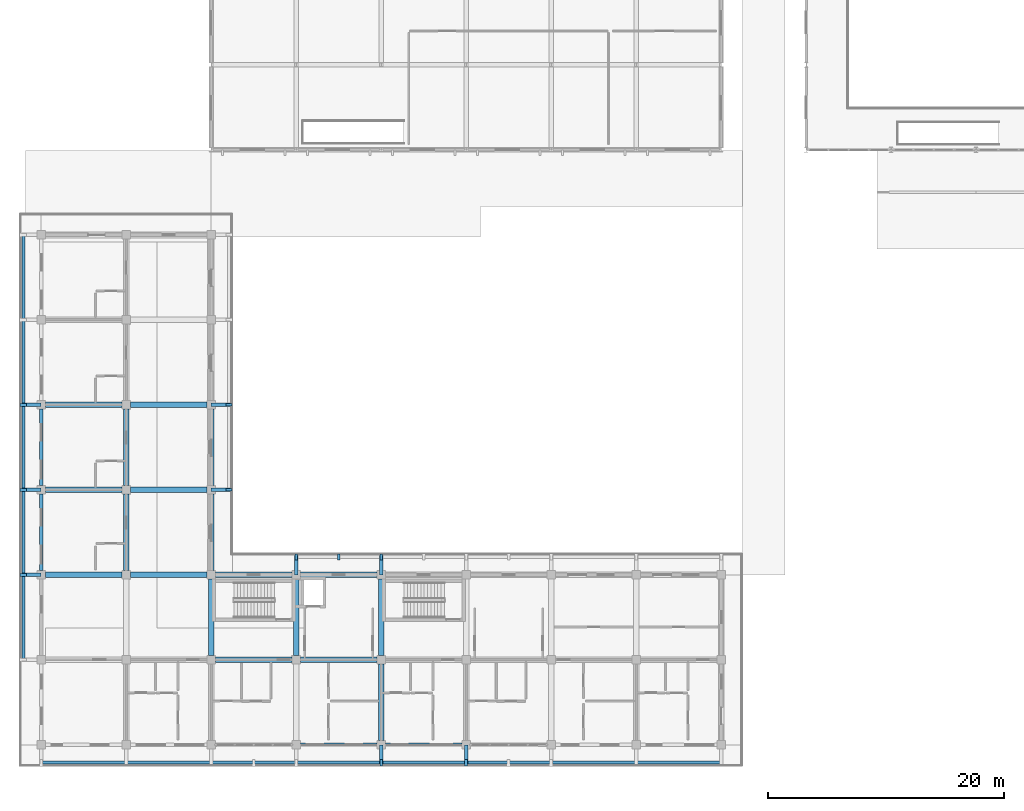
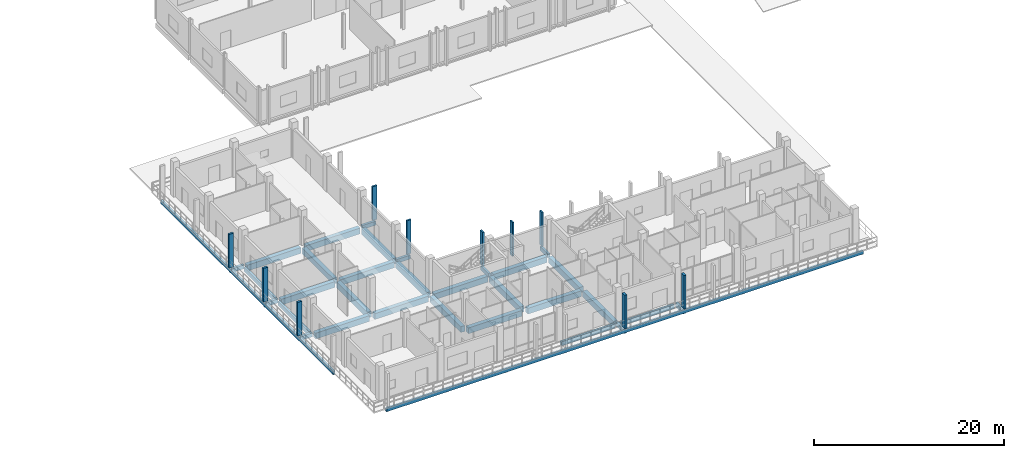
# One storey, part 16 of 110: 33 beams, 10 members.
"""IFC4 building model written with IfcOpenShell, lengths in metres."""

from ifc_helpers import new_model, si_unit, direction, frame, origin, origin_2d, place, context, subcontext, project, spatial, rectangle, extrude, material, material_profile, profile_set, type_object, element, save


model = new_model("IFC4")

# Units and contexts
model_context = context("Model", 3, precision=1e-05, world=origin(), true_north=direction((0.0, 1.0)))
body_context = subcontext(model_context, "Body", "Model", "MODEL_VIEW")
ifc_project = project(units=[si_unit("LENGTHUNIT", "METRE"), si_unit("AREAUNIT", "SQUARE_METRE"), si_unit("VOLUMEUNIT", "CUBIC_METRE"), si_unit("PLANEANGLEUNIT", "RADIAN"), si_unit("MASSUNIT", "GRAM", prefix="KILO")], contexts=[model_context])

# Site, building, storey
site_placement = place(None, origin())
site = spatial("IfcSite", under=ifc_project, at=site_placement, CompositionType="ELEMENT")
building_placement = place(site_placement, origin())
building = spatial("IfcBuilding", under=site, at=building_placement, Name="Suanplinth Sawtooth Commons", CompositionType="ELEMENT")
storey_placement = place(building_placement, frame((0.0, 0.0, 4.5)))
storey = spatial("IfcBuildingStorey", under=building, at=storey_placement, Name="L01", CompositionType="ELEMENT", Elevation=4.5)

# Beams
ifc_material_1 = material(Name="Concrete C40/50", Category="concrete")
ifc_material_profile_1 = material_profile(ifc_material_1, rectangle(XDim=0.5, YDim=0.75, at=origin_2d()), Name="RC-GDR 500x750")
ifc_profile_set_1 = profile_set([ifc_material_profile_1], Name="Concrete C40/50")
beam_type_1 = type_object("IfcBeamType", Name="B-03", PredefinedType="USERDEFINED", material=ifc_profile_set_1)
for number, where, z_axis, x_axis, name in (
    (1, (0.35009765625, 14.39990234375, -0.675048828125), (1.0, 0.0, 0.0), (0.0, 1.0, 0.0), "BMX-L01-D-0-2"),
    (2, (0.35009765625, 21.60009765625, -0.675048828125), (1.0, 0.0, 0.0), (0.0, 1.0, 0.0), "BMX-L01-D-0-3"),
    (3, (0.35009765625, 28.800048828125, -0.675048828125), (1.0, 0.0, 0.0), (0.0, 1.0, 0.0), "BMX-L01-D-0-4"),
    (4, (7.550048828125, 14.39990234375, -0.675048828125), (1.0, 0.0, 0.0), (0.0, 1.0, 0.0), "BMX-L01-D-1-2"),
    (5, (7.550048828125, 21.60009765625, -0.675048828125), (1.0, 0.0, 0.0), (0.0, 1.0, 0.0), "BMX-L01-D-1-3"),
    (6, (7.550048828125, 28.800048828125, -0.675048828125), (1.0, 0.0, 0.0), (0.0, 1.0, 0.0), "BMX-L01-D-1-4"),
    (7, (14.75, 7.199951171875, -0.675048828125), (1.0, 0.0, 0.0), (0.0, 1.0, 0.0), "BMX-L01-D-2-1"),
    (8, (14.75, 14.39990234375, -0.675048828125), (1.0, 0.0, 0.0), (0.0, 1.0, 0.0), "BMX-L01-D-2-2"),
    (9, (21.949951171875, 7.199951171875, -0.675048828125), (1.0, 0.0, 0.0), (0.0, 1.0, 0.0), "BMX-L01-D-3-1"),
    (10, (21.949951171875, 14.39990234375, -0.675048828125), (1.0, 0.0, 0.0), (0.0, 1.0, 0.0), "BMX-L01-D-3-2"),
    (11, (7.199951171875, 14.75, -0.675048828125), (0.0, 1.0, 0.0), (-1.0, 0.0, 0.0), "BMY-L01-D-1-2"),
    (12, (7.199951171875, 21.949951171875, -0.675048828125), (0.0, 1.0, 0.0), (-1.0, 0.0, 0.0), "BMY-L01-D-1-3"),
    (13, (14.39990234375, 7.550048828125, -0.675048828125), (0.0, 1.0, 0.0), (-1.0, 0.0, 0.0), "BMY-L01-D-2-1"),
    (14, (14.39990234375, 14.75, -0.675048828125), (0.0, 1.0, 0.0), (-1.0, 0.0, 0.0), "BMY-L01-D-2-2"),
    (15, (14.39990234375, 21.949951171875, -0.675048828125), (0.0, 1.0, 0.0), (-1.0, 0.0, 0.0), "BMY-L01-D-2-3"),
    (16, (21.60009765625, 7.550048828125, -0.675048828125), (0.0, 1.0, 0.0), (-1.0, 0.0, 0.0), "BMY-L01-D-3-1"),
    (17, (28.800048828125, 0.35009765625, -0.675048828125), (0.0, 1.0, 0.0), (-1.0, 0.0, 0.0), "BMY-L01-D-4-0"),
    (18, (28.800048828125, 7.550048828125, -0.675048828125), (0.0, 1.0, 0.0), (-1.0, 0.0, 0.0), "BMY-L01-D-4-1"),
):
    element("IfcBeam", number, at=place(storey_placement, frame(where, z_axis=z_axis, x_axis=x_axis)), inside=storey, type_object=beam_type_1, Name=name, ObjectType="GIRDER", PredefinedType="USERDEFINED", context=body_context, shape_type="SweptSolid", body=[
        extrude(rectangle(XDim=0.5, YDim=0.75, at=origin_2d()), origin(), (0.0, 0.0, 1.0), 6.5),
    ])
ifc_material_2 = material(Name="Precast concrete C40/50", Category="concrete")
ifc_material_profile_2 = material_profile(ifc_material_2, rectangle(XDim=0.300048828125, YDim=0.5, at=origin_2d()), Name="PC-BM 300x500")
ifc_profile_set_2 = profile_set([ifc_material_profile_2], Name="Precast concrete C40/50")
beam_type_2 = type_object("IfcBeamType", Name="B-07", PredefinedType="BEAM", material=ifc_profile_set_2)
for number, where, z_axis, x_axis, name in (
    (19, (28.800048828125, 0.0, -0.429931640625), (0.0, -1.0, 0.0), (1.0, 0.0, 0.0), "Balcony Outrigger L01-D-S-4"),
    (20, (36.0, 0.0, -0.429931640625), (0.0, -1.0, 0.0), (1.0, 0.0, 0.0), "Balcony Outrigger L01-D-S-5"),
    (21, (0.0, 14.39990234375, -0.429931640625), (-1.0, 0.0, 0.0), (0.0, -1.0, 0.0), "Balcony Outrigger L01-D-W-2"),
    (22, (0.0, 21.60009765625, -0.429931640625), (-1.0, 0.0, 0.0), (0.0, -1.0, 0.0), "Balcony Outrigger L01-D-W-3"),
    (23, (0.0, 28.800048828125, -0.429931640625), (-1.0, 0.0, 0.0), (0.0, -1.0, 0.0), "Balcony Outrigger L01-D-W-4"),
):
    element("IfcBeam", number, at=place(storey_placement, frame(where, z_axis=z_axis, x_axis=x_axis)), inside=storey, type_object=beam_type_2, Name=name, PredefinedType="BEAM", context=body_context, shape_type="SweptSolid", body=[
        extrude(rectangle(XDim=0.300048828125, YDim=0.5, at=origin_2d()), origin(), (0.0, 0.0, 1.0), 1.639892578125),
    ])
for number, where, z_axis, x_axis, name in (
    (24, (21.60009765625, 14.39990234375, -0.425048828125), (0.0, 1.0, 0.0), (-1.0, 0.0, 0.0), "Balcony Outrigger L01-D-NC-3"),
    (25, (28.800048828125, 14.39990234375, -0.425048828125), (0.0, 1.0, 0.0), (-1.0, 0.0, 0.0), "Balcony Outrigger L01-D-NC-4"),
    (26, (14.39990234375, 21.60009765625, -0.425048828125), (1.0, 0.0, 0.0), (0.0, 1.0, 0.0), "Balcony Outrigger L01-D-EC-3"),
    (27, (14.39990234375, 28.800048828125, -0.425048828125), (1.0, 0.0, 0.0), (0.0, 1.0, 0.0), "Balcony Outrigger L01-D-EC-4"),
):
    element("IfcBeam", number, at=place(storey_placement, frame(where, z_axis=z_axis, x_axis=x_axis)), inside=storey, type_object=beam_type_2, Name=name, PredefinedType="BEAM", context=body_context, shape_type="SweptSolid", body=[
        extrude(rectangle(XDim=0.300048828125, YDim=0.5, at=origin_2d()), origin(), (0.0, 0.0, 1.0), 1.64013671875),
    ])
ifc_material_profile_3 = material_profile(ifc_material_2, rectangle(XDim=0.280029296875, YDim=0.52001953125, at=origin_2d()), Name="PC-SP 280x520")
ifc_profile_set_3 = profile_set([ifc_material_profile_3], Name="Precast concrete C40/50")
beam_type_3 = type_object("IfcBeamType", Name="B-08", PredefinedType="SPANDREL", material=ifc_profile_set_3)
for number, where, z_axis, x_axis, name in (
    (28, (21.949951171875, 0.0, -0.56005859375), (1.0, 0.0, 0.0), (0.0, 1.0, 0.0), "BMX-L01-D-3-0"),
    (29, (29.14990234375, 0.0, -0.56005859375), (1.0, 0.0, 0.0), (0.0, 1.0, 0.0), "BMX-L01-D-4-0"),
    (30, (0.0, 14.75, -0.56005859375), (0.0, 1.0, 0.0), (-1.0, 0.0, 0.0), "BMY-L01-D-0-2"),
    (31, (0.0, 21.949951171875, -0.56005859375), (0.0, 1.0, 0.0), (-1.0, 0.0, 0.0), "BMY-L01-D-0-3"),
):
    element("IfcBeam", number, at=place(storey_placement, frame(where, z_axis=z_axis, x_axis=x_axis)), inside=storey, type_object=beam_type_3, Name=name, PredefinedType="SPANDREL", context=body_context, shape_type="SweptSolid", body=[
        extrude(rectangle(XDim=0.280029296875, YDim=0.52001953125, at=origin_2d()), origin(), (0.0, 0.0, 1.0), 6.5),
    ])
ifc_material_profile_4 = material_profile(ifc_material_2, rectangle(XDim=0.25, YDim=0.449951171875, at=origin_2d()), Name="PC-SP 250x450")
ifc_profile_set_4 = profile_set([ifc_material_profile_4], Name="Precast concrete C40/50")
beam_type_4 = type_object("IfcBeamType", Name="B-09", PredefinedType="SPANDREL", material=ifc_profile_set_4)
beam_1_placement = place(storey_placement, frame((-0.14990234375, -1.52001953125, -0.405029296875), z_axis=(1.0, 0.0, 0.0), x_axis=(0.0, 1.0, 0.0)))
element("IfcBeam", 32, at=beam_1_placement, inside=storey, type_object=beam_type_4, Name="Balcony Edge Fascia L01-D-S", PredefinedType="SPANDREL", context=body_context, shape_type="SweptSolid", body=[
    extrude(rectangle(XDim=0.25, YDim=0.449951171875, at=origin_2d()), origin(), (0.0, 0.0, 1.0), 57.89990234375),
])
beam_2_placement = place(storey_placement, frame((-1.52001953125, 7.050048828125, -0.405029296875), z_axis=(0.0, 1.0, 0.0), x_axis=(-1.0, 0.0, 0.0)))
element("IfcBeam", 33, at=beam_2_placement, inside=storey, type_object=beam_type_4, Name="Balcony Edge Fascia L01-D-W", PredefinedType="SPANDREL", context=body_context, shape_type="SweptSolid", body=[
    extrude(rectangle(XDim=0.25, YDim=0.449951171875, at=origin_2d()), origin(), (0.0, 0.0, 1.0), 36.300048828125),
])

# Members
ifc_material_3 = material(Name="Pigmented precast concrete C40/50", Category="concrete")
ifc_material_profile_5 = material_profile(ifc_material_3, rectangle(XDim=0.25, YDim=0.5400390625, at=origin_2d()), Name="PC-FIN 250x540")
ifc_profile_set_5 = profile_set([ifc_material_profile_5], Name="Pigmented precast concrete C40/50")
member_type_1 = type_object("IfcMemberType", Name="M-11", PredefinedType="USERDEFINED", material=ifc_profile_set_5)
for number, where, z_axis, x_axis, name in (
    (34, (28.800048828125, -1.52001953125, 0.0), (0.0, 0.0, 1.0), (1.0, 0.0, 0.0), "Upright Solar Blade L01-D-S-04"),
    (35, (36.0, -1.52001953125, 0.0), (0.0, 0.0, 1.0), (1.0, 0.0, 0.0), "Upright Solar Blade L01-D-S-05"),
    (36, (-1.52001953125, 14.39990234375, 0.0), (0.0, 0.0, 1.0), (0.0, 1.0, 0.0), "Upright Solar Blade L01-D-W-09"),
    (37, (-1.52001953125, 21.60009765625, 0.0), (0.0, 0.0, 1.0), (0.0, 1.0, 0.0), "Upright Solar Blade L01-D-W-10"),
    (38, (-1.52001953125, 28.800048828125, 0.0), (0.0, 0.0, 1.0), (0.0, 1.0, 0.0), "Upright Solar Blade L01-D-W-11"),
):
    element("IfcMember", number, at=place(storey_placement, frame(where, z_axis=z_axis, x_axis=x_axis)), inside=storey, type_object=member_type_1, Name=name, ObjectType="SHADING FIN", PredefinedType="USERDEFINED", context=body_context, shape_type="SweptSolid", body=[
        extrude(rectangle(XDim=0.25, YDim=0.5400390625, at=origin_2d()), origin(), (0.0, 0.0, 1.0), 4.330078125),
    ])
ifc_material_profile_6 = material_profile(ifc_material_3, rectangle(XDim=0.2099609375, YDim=0.52001953125, at=origin_2d()), Name="PC-FIN 210x520")
ifc_profile_set_6 = profile_set([ifc_material_profile_6], Name="Pigmented precast concrete C40/50")
member_type_2 = type_object("IfcMemberType", Name="M-12", PredefinedType="USERDEFINED", material=ifc_profile_set_6)
for number, where, z_axis, x_axis, name in (
    (39, (21.60009765625, 15.919921875, 0.0), (0.0, 0.0, 1.0), (1.0, 0.0, 0.0), "Upright Solar Blade L01-D-NC-14"),
    (40, (25.199951171875, 15.919921875, 0.0), (0.0, 0.0, 1.0), (1.0, 0.0, 0.0), "Upright Solar Blade L01-D-NC-15"),
    (41, (28.800048828125, 15.919921875, 0.0), (0.0, 0.0, 1.0), (1.0, 0.0, 0.0), "Upright Solar Blade L01-D-NC-16"),
    (42, (15.919921875, 21.60009765625, 0.0), (0.0, 0.0, 1.0), (0.0, 1.0, 0.0), "Upright Solar Blade L01-D-EC-23"),
    (43, (15.919921875, 28.800048828125, 0.0), (0.0, 0.0, 1.0), (0.0, 1.0, 0.0), "Upright Solar Blade L01-D-EC-24"),
):
    element("IfcMember", number, at=place(storey_placement, frame(where, z_axis=z_axis, x_axis=x_axis)), inside=storey, type_object=member_type_2, Name=name, ObjectType="SHADING FIN", PredefinedType="USERDEFINED", context=body_context, shape_type="SweptSolid", body=[
        extrude(rectangle(XDim=0.2099609375, YDim=0.52001953125, at=origin_2d()), origin(), (0.0, 0.0, 1.0), 4.330078125),
    ])

save(model, "model.ifc")
